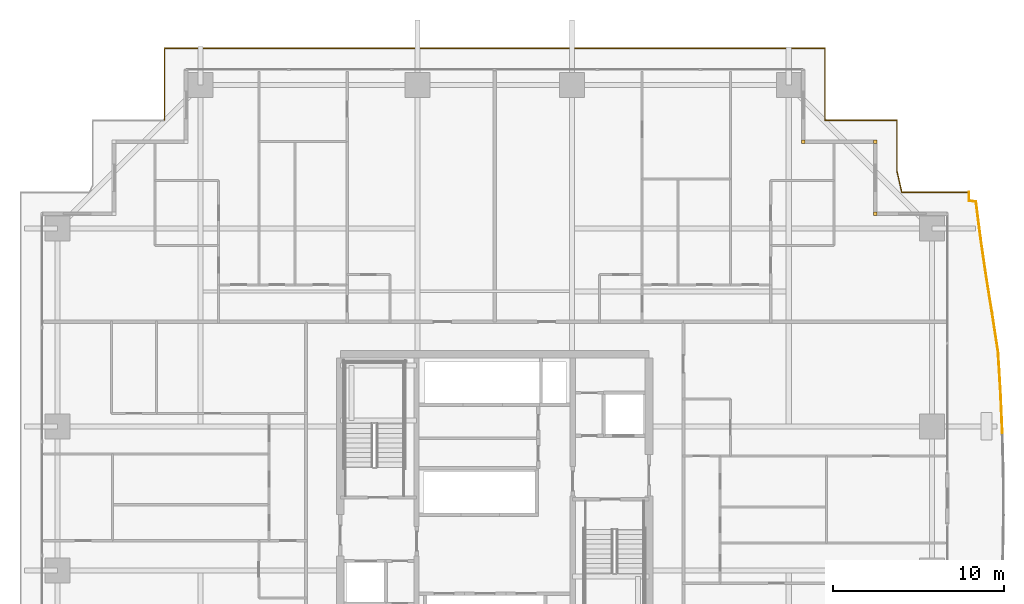
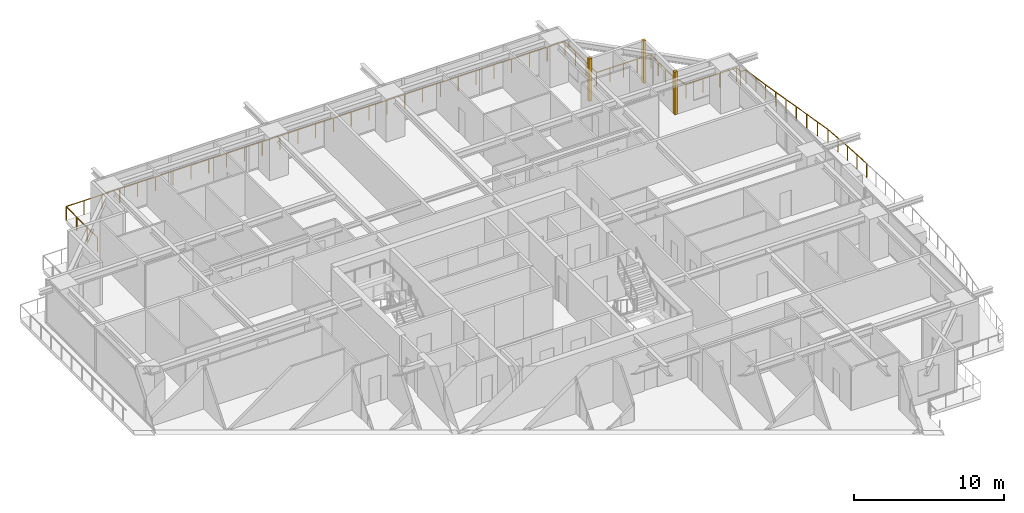
# One storey, part 39 of 39: 3 coverings, 2 railings.
"""IFC4 building model written with IfcOpenShell, lengths in metres."""

from ifc_helpers import new_model, si_unit, direction, frame, origin, origin_2d, place, context, subcontext, project, spatial, rectangle, circle, extrude, source, transform, mapped, material, layer, layer_set, type_object, element, save


model = new_model("IFC4")

# Units and contexts
model_context = context("Model", 3, precision=1e-05, world=origin(), true_north=direction((0.0, 1.0)))
body_context = subcontext(model_context, "Body", "Model", "MODEL_VIEW")
ifc_project = project(units=[si_unit("LENGTHUNIT", "METRE"), si_unit("AREAUNIT", "SQUARE_METRE"), si_unit("VOLUMEUNIT", "CUBIC_METRE"), si_unit("PLANEANGLEUNIT", "RADIAN"), si_unit("MASSUNIT", "GRAM", prefix="KILO")], contexts=[model_context])

# Site, building, storey
site_placement = place(None, origin())
site = spatial("IfcSite", under=ifc_project, at=site_placement, CompositionType="ELEMENT")
building_placement = place(site_placement, origin())
building = spatial("IfcBuilding", under=site, at=building_placement, Name="Serunith Strait Residences", CompositionType="ELEMENT")
storey_placement = place(building_placement, frame((0.0, 0.0, 94.199951171875)))
storey = spatial("IfcBuildingStorey", under=building, at=storey_placement, Name="L23", CompositionType="ELEMENT", Elevation=94.199951171875)

# Railings
ifc_material_1 = material(Name="Stainless Steel & Laminated Glass Balustrade", Category="steel")
railing_type = type_object("IfcRailingType", Name="RLG-BALC-1150", PredefinedType="BALUSTRADE", material=ifc_material_1)
railing_1_placement = place(storey_placement, frame((13.139892578125, 47.260009765625, -0.050048828125)))
element("IfcRailing", 1, at=railing_1_placement, inside=storey, type_object=railing_type, Name="L23 Swirling Balcony Perimeter Balustrade 2", PredefinedType="BALUSTRADE", context=body_context, shape_type="SweptSolid", body=[
    extrude(circle(Radius=0.02392578125, at=origin_2d()), frame((0.0, 0.001953125, 1.1259765625), z_axis=(0.0, 1.0, 0.0), x_axis=(-1.0, 0.0, 0.0)), (0.0, 0.0, 1.0), 4.196044921875),
    extrude(circle(Radius=0.02392578125, at=origin_2d()), frame((0.001953125, 4.199951171875, 1.1259765625), z_axis=(1.0, 0.0, 0.0), x_axis=(0.0, 1.0, 0.0)), (0.0, 0.0, 1.0), 38.51611328125),
    extrude(circle(Radius=0.02392578125, at=origin_2d()), frame((38.52001953125, 4.197998046875, 1.1259765625), z_axis=(0.0, -1.0, 0.0), x_axis=(1.0, 0.0, 0.0)), (0.0, 0.0, 1.0), 4.196044921875),
    extrude(circle(Radius=0.02392578125, at=origin_2d()), frame((38.52197265625, 0.0, 1.1259765625), z_axis=(1.0, 0.0, 0.0), x_axis=(0.0, 1.0, 0.0)), (0.0, 0.0, 1.0), 4.1962890625),
    extrude(circle(Radius=0.02392578125, at=origin_2d()), frame((42.72021484375, -0.001953125, 1.1259765625), z_axis=(0.0, -1.0, 0.0), x_axis=(1.0, 0.0, 0.0)), (0.0, 0.0, 1.0), 2.958740234375),
    extrude(circle(Radius=0.02392578125, at=origin_2d()), frame((42.720703125, -2.964599609375, 1.1259765625), z_axis=(0.222568851426, -0.974916974093, 0.0), x_axis=(0.974916974093, 0.222568851426, 0.0)), (0.0, 0.0, 1.0), 1.26513671875),
    extrude(circle(Radius=0.02392578125, at=origin_2d()), frame((43.004638671875, -4.199951171875, 1.1259765625), z_axis=(1.0, 0.0, 0.0), x_axis=(0.0, 1.0, 0.0)), (0.0, 0.0, 1.0), 3.91357421875),
    extrude(circle(Radius=0.02099609375, at=origin_2d()), origin(), (0.0, 0.0, 1.0), 1.099853515625),
    extrude(circle(Radius=0.02099609375, at=origin_2d()), frame((0.0, 1.39990234375, 0.0)), (0.0, 0.0, 1.0), 1.099853515625),
    extrude(circle(Radius=0.02099609375, at=origin_2d()), frame((0.0, 2.800048828125, 0.0)), (0.0, 0.0, 1.0), 1.099853515625),
    extrude(circle(Radius=0.02099609375, at=origin_2d()), frame((0.0, 4.199951171875, 0.0)), (0.0, 0.0, 1.0), 1.099853515625),
    extrude(circle(Radius=0.02099609375, at=origin_2d()), frame((1.375732421875, 4.199951171875, 0.0)), (0.0, 0.0, 1.0), 1.099853515625),
    extrude(circle(Radius=0.02099609375, at=origin_2d()), frame((2.75146484375, 4.199951171875, 0.0)), (0.0, 0.0, 1.0), 1.099853515625),
    extrude(circle(Radius=0.02099609375, at=origin_2d()), frame((4.127197265625, 4.199951171875, 0.0)), (0.0, 0.0, 1.0), 1.099853515625),
    extrude(circle(Radius=0.02099609375, at=origin_2d()), frame((5.5029296875, 4.199951171875, 0.0)), (0.0, 0.0, 1.0), 1.099853515625),
    extrude(circle(Radius=0.02099609375, at=origin_2d()), frame((6.878662109375, 4.199951171875, 0.0)), (0.0, 0.0, 1.0), 1.099853515625),
    extrude(circle(Radius=0.02099609375, at=origin_2d()), frame((8.25439453125, 4.199951171875, 0.0)), (0.0, 0.0, 1.0), 1.099853515625),
    extrude(circle(Radius=0.02099609375, at=origin_2d()), frame((9.6298828125, 4.199951171875, 0.0)), (0.0, 0.0, 1.0), 1.099853515625),
    extrude(circle(Radius=0.02099609375, at=origin_2d()), frame((11.005615234375, 4.199951171875, 0.0)), (0.0, 0.0, 1.0), 1.099853515625),
    extrude(circle(Radius=0.02099609375, at=origin_2d()), frame((12.38134765625, 4.199951171875, 0.0)), (0.0, 0.0, 1.0), 1.099853515625),
    extrude(circle(Radius=0.02099609375, at=origin_2d()), frame((13.757080078125, 4.199951171875, 0.0)), (0.0, 0.0, 1.0), 1.099853515625),
    extrude(circle(Radius=0.02099609375, at=origin_2d()), frame((15.1328125, 4.199951171875, 0.0)), (0.0, 0.0, 1.0), 1.099853515625),
    extrude(circle(Radius=0.02099609375, at=origin_2d()), frame((16.508544921875, 4.199951171875, 0.0)), (0.0, 0.0, 1.0), 1.099853515625),
    extrude(circle(Radius=0.02099609375, at=origin_2d()), frame((17.88427734375, 4.199951171875, 0.0)), (0.0, 0.0, 1.0), 1.099853515625),
    extrude(circle(Radius=0.02099609375, at=origin_2d()), frame((19.260009765625, 4.199951171875, 0.0)), (0.0, 0.0, 1.0), 1.099853515625),
    extrude(circle(Radius=0.02099609375, at=origin_2d()), frame((20.6357421875, 4.199951171875, 0.0)), (0.0, 0.0, 1.0), 1.099853515625),
    extrude(circle(Radius=0.02099609375, at=origin_2d()), frame((22.011474609375, 4.199951171875, 0.0)), (0.0, 0.0, 1.0), 1.099853515625),
    extrude(circle(Radius=0.02099609375, at=origin_2d()), frame((23.38720703125, 4.199951171875, 0.0)), (0.0, 0.0, 1.0), 1.099853515625),
    extrude(circle(Radius=0.02099609375, at=origin_2d()), frame((24.762939453125, 4.199951171875, 0.0)), (0.0, 0.0, 1.0), 1.099853515625),
    extrude(circle(Radius=0.02099609375, at=origin_2d()), frame((26.138671875, 4.199951171875, 0.0)), (0.0, 0.0, 1.0), 1.099853515625),
    extrude(circle(Radius=0.02099609375, at=origin_2d()), frame((27.514404296875, 4.199951171875, 0.0)), (0.0, 0.0, 1.0), 1.099853515625),
    extrude(circle(Radius=0.02099609375, at=origin_2d()), frame((28.89013671875, 4.199951171875, 0.0)), (0.0, 0.0, 1.0), 1.099853515625),
    extrude(circle(Radius=0.02099609375, at=origin_2d()), frame((30.265625, 4.199951171875, 0.0)), (0.0, 0.0, 1.0), 1.099853515625),
    extrude(circle(Radius=0.02099609375, at=origin_2d()), frame((31.641357421875, 4.199951171875, 0.0)), (0.0, 0.0, 1.0), 1.099853515625),
    extrude(circle(Radius=0.02099609375, at=origin_2d()), frame((33.01708984375, 4.199951171875, 0.0)), (0.0, 0.0, 1.0), 1.099853515625),
    extrude(circle(Radius=0.02099609375, at=origin_2d()), frame((34.392822265625, 4.199951171875, 0.0)), (0.0, 0.0, 1.0), 1.099853515625),
    extrude(circle(Radius=0.02099609375, at=origin_2d()), frame((35.7685546875, 4.199951171875, 0.0)), (0.0, 0.0, 1.0), 1.099853515625),
    extrude(circle(Radius=0.02099609375, at=origin_2d()), frame((37.144287109375, 4.199951171875, 0.0)), (0.0, 0.0, 1.0), 1.099853515625),
    extrude(circle(Radius=0.02099609375, at=origin_2d()), frame((38.52001953125, 4.199951171875, 0.0)), (0.0, 0.0, 1.0), 1.099853515625),
    extrude(circle(Radius=0.02099609375, at=origin_2d()), frame((38.52001953125, 2.800048828125, 0.0)), (0.0, 0.0, 1.0), 1.099853515625),
    extrude(circle(Radius=0.02099609375, at=origin_2d()), frame((38.52001953125, 1.39990234375, 0.0)), (0.0, 0.0, 1.0), 1.099853515625),
    extrude(circle(Radius=0.02099609375, at=origin_2d()), frame((38.52001953125, 0.0, 0.0)), (0.0, 0.0, 1.0), 1.099853515625),
    extrude(circle(Radius=0.02099609375, at=origin_2d()), frame((39.570068359375, 0.0, 0.0)), (0.0, 0.0, 1.0), 1.099853515625),
    extrude(circle(Radius=0.02099609375, at=origin_2d()), frame((40.6201171875, 0.0, 0.0)), (0.0, 0.0, 1.0), 1.099853515625),
    extrude(circle(Radius=0.02099609375, at=origin_2d()), frame((41.670166015625, 0.0, 0.0)), (0.0, 0.0, 1.0), 1.099853515625),
    extrude(circle(Radius=0.02099609375, at=origin_2d()), frame((42.72021484375, 0.0, 0.0)), (0.0, 0.0, 1.0), 1.099853515625),
    extrude(circle(Radius=0.02099609375, at=origin_2d()), frame((42.72021484375, -0.987548828125, 0.0)), (0.0, 0.0, 1.0), 1.099853515625),
    extrude(circle(Radius=0.02099609375, at=origin_2d()), frame((42.72021484375, -1.97509765625, 0.0)), (0.0, 0.0, 1.0), 1.099853515625),
    extrude(circle(Radius=0.02099609375, at=origin_2d()), frame((42.72021484375, -2.962646484375, 0.0)), (0.0, 0.0, 1.0), 1.099853515625),
    extrude(circle(Radius=0.02099609375, at=origin_2d()), frame((43.002685546875, -4.199951171875, 0.0)), (0.0, 0.0, 1.0), 1.099853515625),
    extrude(circle(Radius=0.02099609375, at=origin_2d()), frame((44.30859375, -4.199951171875, 0.0)), (0.0, 0.0, 1.0), 1.099853515625),
    extrude(circle(Radius=0.02099609375, at=origin_2d()), frame((45.6142578125, -4.199951171875, 0.0)), (0.0, 0.0, 1.0), 1.099853515625),
    extrude(circle(Radius=0.02099609375, at=origin_2d()), frame((46.920166015625, -4.199951171875, 0.0)), (0.0, 0.0, 1.0), 1.099853515625),
])
railing_2_placement = place(storey_placement, frame((60.06005859375, 43.06005859375, -0.050048828125)))
element("IfcRailing", 2, at=railing_2_placement, inside=storey, type_object=railing_type, Name="L23 Swirling Balcony Perimeter Balustrade 3", PredefinedType="BALUSTRADE", context=body_context, shape_type="SweptSolid", body=[
    extrude(circle(Radius=0.02392578125, at=origin_2d()), frame((0.0, -0.001953125, 1.1259765625), z_axis=(0.0, -1.0, 0.0), x_axis=(1.0, 0.0, 0.0)), (0.0, 0.0, 1.0), 0.49365234375),
    extrude(circle(Radius=0.02392578125, at=origin_2d()), frame((0.001953125, -0.497802734375, 1.1259765625), z_axis=(0.987067836846, -0.160303104973, 0.0), x_axis=(0.160303104973, 0.987067836846, 0.0)), (0.0, 0.0, 1.0), 0.411865234375),
    extrude(circle(Radius=0.02392578125, at=origin_2d()), frame((0.41064453125, -0.566162109375, 1.1259765625), z_axis=(0.125502360579, -0.992093320958, 0.0), x_axis=(0.992093320958, 0.125502360579, 0.0)), (0.0, 0.0, 1.0), 2.1455078125),
    extrude(circle(Radius=0.02392578125, at=origin_2d()), frame((0.680419921875, -2.69873046875, 1.1259765625), z_axis=(0.145468179, -0.989362930829, 0.0), x_axis=(0.989362930829, 0.145468179, 0.0)), (0.0, 0.0, 1.0), 2.174560546875),
    extrude(circle(Radius=0.02392578125, at=origin_2d()), frame((0.997314453125, -4.85400390625, 1.1259765625), z_axis=(0.158676182531, -0.987330678698, 0.0), x_axis=(0.987330678698, 0.158676182531, 0.0)), (0.0, 0.0, 1.0), 2.2177734375),
    extrude(circle(Radius=0.02392578125, at=origin_2d()), frame((1.349853515625, -7.047607421875, 1.1259765625), z_axis=(0.152693258539, -0.988273630528, 0.0), x_axis=(0.988273630528, 0.152693258539, 0.0)), (0.0, 0.0, 1.0), 2.2744140625),
    extrude(circle(Radius=0.02392578125, at=origin_2d()), frame((1.697509765625, -9.29931640625, 1.1259765625), z_axis=(0.060513831366, -0.99816735882, 0.0), x_axis=(0.99816735882, 0.060513831366, 0.0)), (0.0, 0.0, 1.0), 2.35205078125),
    extrude(circle(Radius=0.02392578125, at=origin_2d()), frame((1.840087890625, -11.651123046875, 1.1259765625), z_axis=(0.044589303309, -0.999005402403, 0.0), x_axis=(0.999005402403, 0.044589303309, 0.0)), (0.0, 0.0, 1.0), 2.377685546875),
    extrude(circle(Radius=0.02099609375, at=origin_2d()), origin(), (0.0, 0.0, 1.0), 1.099853515625),
    extrude(circle(Radius=0.02099609375, at=origin_2d()), frame((0.0, -0.49755859375, 0.0)), (0.0, 0.0, 1.0), 1.099853515625),
    extrude(circle(Radius=0.02099609375, at=origin_2d()), frame((0.410400390625, -0.564208984375, 0.0)), (0.0, 0.0, 1.0), 1.099853515625),
    extrude(circle(Radius=0.02099609375, at=origin_2d()), frame((0.54541015625, -1.63037109375, 0.0)), (0.0, 0.0, 1.0), 1.099853515625),
    extrude(circle(Radius=0.02099609375, at=origin_2d()), frame((0.68017578125, -2.69677734375, 0.0)), (0.0, 0.0, 1.0), 1.099853515625),
    extrude(circle(Radius=0.02099609375, at=origin_2d()), frame((0.838623046875, -3.7744140625, 0.0)), (0.0, 0.0, 1.0), 1.099853515625),
    extrude(circle(Radius=0.02099609375, at=origin_2d()), frame((0.9970703125, -4.85205078125, 0.0)), (0.0, 0.0, 1.0), 1.099853515625),
    extrude(circle(Radius=0.02099609375, at=origin_2d()), frame((1.17333984375, -5.94873046875, 0.0)), (0.0, 0.0, 1.0), 1.099853515625),
    extrude(circle(Radius=0.02099609375, at=origin_2d()), frame((1.349609375, -7.045654296875, 0.0)), (0.0, 0.0, 1.0), 1.099853515625),
    extrude(circle(Radius=0.02099609375, at=origin_2d()), frame((1.5234375, -8.17138671875, 0.0)), (0.0, 0.0, 1.0), 1.099853515625),
    extrude(circle(Radius=0.02099609375, at=origin_2d()), frame((1.697509765625, -9.29736328125, 0.0)), (0.0, 0.0, 1.0), 1.099853515625),
    extrude(circle(Radius=0.02099609375, at=origin_2d()), frame((1.768798828125, -10.47314453125, 0.0)), (0.0, 0.0, 1.0), 1.099853515625),
    extrude(circle(Radius=0.02099609375, at=origin_2d()), frame((1.840087890625, -11.649169921875, 0.0)), (0.0, 0.0, 1.0), 1.099853515625),
    extrude(circle(Radius=0.02099609375, at=origin_2d()), frame((1.89306640625, -12.8388671875, 0.0)), (0.0, 0.0, 1.0), 1.099853515625),
    extrude(circle(Radius=0.02099609375, at=origin_2d()), frame((1.9462890625, -14.028564453125, 0.0)), (0.0, 0.0, 1.0), 1.099853515625),
])

# Coverings
ifc_material_2 = material(Name="Pale-Champagne Anodised Aluminium", Category="aluminium")
ifc_layer = layer(ifc_material_2, 0.219970703125, Name="Pale-Champagne Anodised Aluminium")
ifc_layer_set = layer_set([ifc_layer], Name="Pale-Champagne Anodised Aluminium")
covering_type = type_object("IfcCoveringType", Name="COV-CORN-TRIM", PredefinedType="CLADDING", material=ifc_layer_set)
shared_shape = source(origin(), body_context, "Body", "SweptSolid", [
    extrude(rectangle(XDim=0.221923828125, YDim=0.221923828125, at=origin_2d()), origin(), (0.0, 0.0, 1.0), 3.47509765625),
])
for number, where, z_axis, x_axis, name in (
    (3, (54.60009765625, 41.800048828125, 0.0), (0.0, 0.0, 1.0), (1.0, 0.0, 0.0), "L23 Girih Serrated Corner Trim Post 07"),
    (4, (54.60009765625, 46.0, 0.0), (0.0, 0.0, 1.0), (1.0, 0.0, 0.0), "L23 Girih Serrated Corner Trim Post 08"),
    (5, (50.39990234375, 46.0, 0.0), (0.0, 0.0, 1.0), (1.0, 0.0, 0.0), "L23 Girih Serrated Corner Trim Post 09"),
):
    element("IfcCovering", number, at=place(storey_placement, frame(where, z_axis=z_axis, x_axis=x_axis)), inside=storey, type_object=covering_type, Name=name, PredefinedType="CLADDING", context=body_context, shape_type="MappedRepresentation", body=[
        mapped(shared_shape, transform((0.0, 0.0, 0.0), scale=1.0)),
    ])

save(model, "model.ifc")
